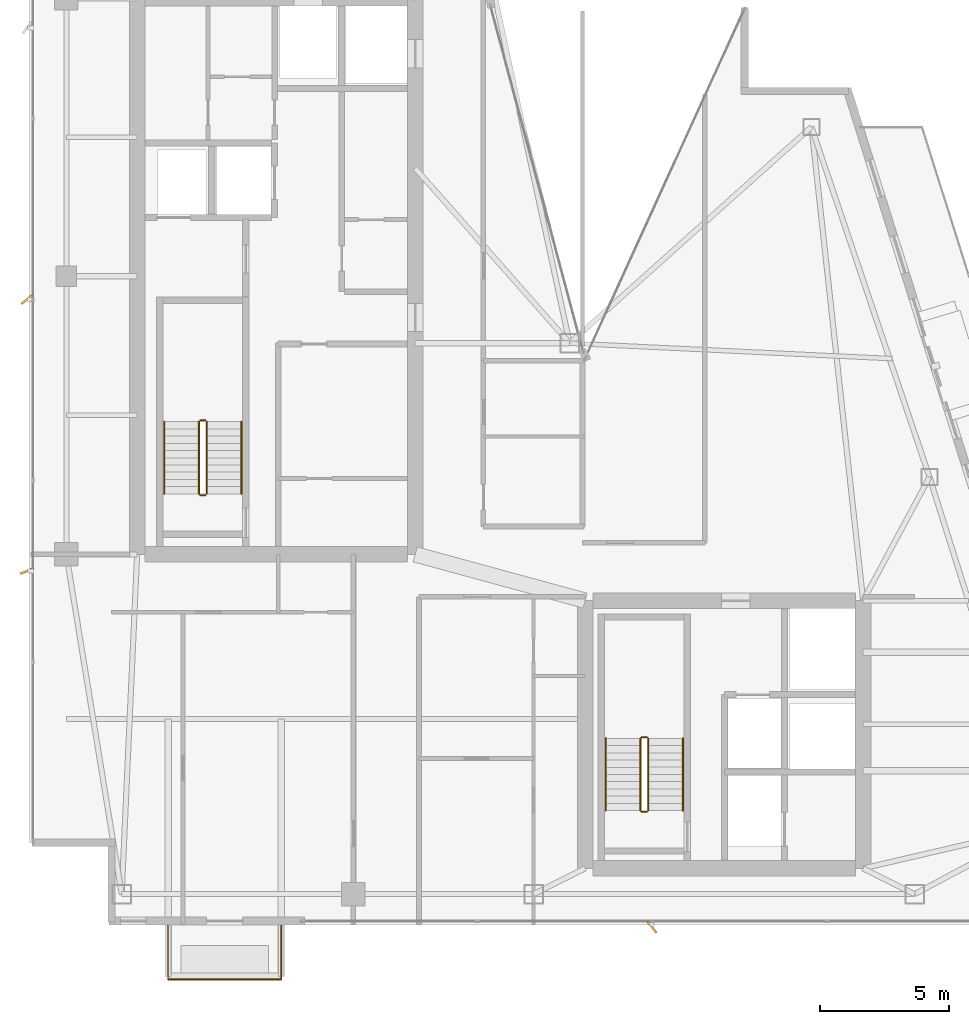
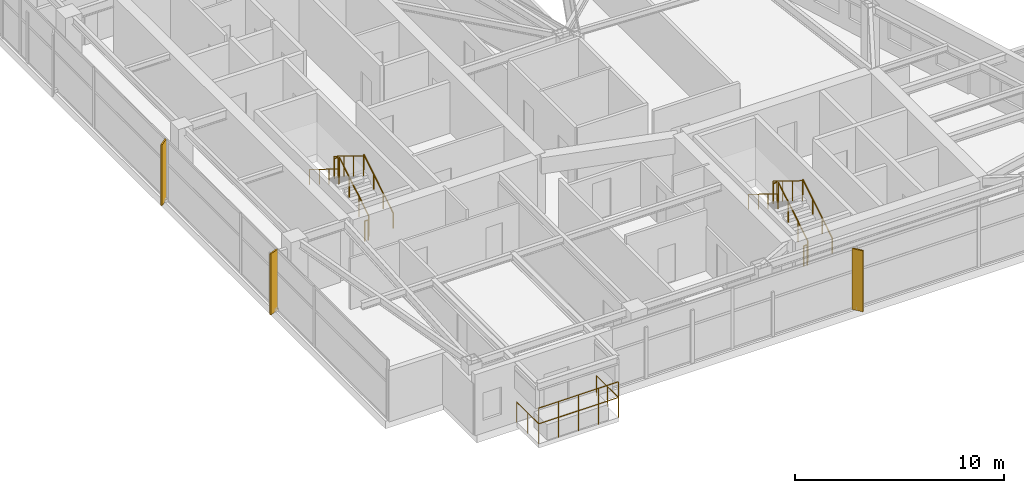
# One storey, part 26 of 27: 14 railings, 3 shading devices.
"""IFC4 building model written with IfcOpenShell, lengths in metres."""

import ifcopenshell
import ifcopenshell.guid

model = None  # the IFC model being written
_history = None  # IfcOwnerHistory: only IFC2X3 demands one
_inside = {}  # id of a spatial element -> (the spatial element, [elements in it])
_under = {}  # id of a project, library or spatial element -> (it, [spatial elements below it])
_declared = {}  # id of a project -> (the project, [libraries it declares])
_typed = {}  # id of a type object -> (the type object, [elements of that type])
_made_of = {}  # id of a material, layer set ... -> (it, [elements and type objects made of it])


def new_model(schema):
    """Start an empty IFC model of exactly this schema.

    Asked for "IFC4X3", IfcOpenShell would pick the latest addendum, in which some entities
    have other attributes; the version numbers below select the first issue.
    IFC2X3 requires an IfcOwnerHistory on every rooted entity: one is made here for all.
    """
    global model, _history
    if schema == "IFC4X3":
        model = ifcopenshell.file(schema_version=(4, 3, 0, 0))
    else:
        model = ifcopenshell.file(schema=schema)
    _inside.clear()
    _under.clear()
    _declared.clear()
    _typed.clear()
    _made_of.clear()
    _history = None
    if model.schema == "IFC2X3":
        org = make("IfcOrganization", Name="unknown")
        user = make(
            "IfcPersonAndOrganization",
            ThePerson=make("IfcPerson", FamilyName="unknown"),
            TheOrganization=org,
        )
        app = make(
            "IfcApplication",
            ApplicationDeveloper=org,
            Version="unknown",
            ApplicationFullName="unknown",
            ApplicationIdentifier="unknown",
        )
        _history = make(
            "IfcOwnerHistory",
            OwningUser=user,
            OwningApplication=app,
            ChangeAction="ADDED",
            CreationDate=0,
        )
    return model


def make(cls, **values):
    """One entity of the class cls with the attributes given. An attribute that is None is left unset."""
    return model.create_entity(
        cls, **{name: value for name, value in values.items() if value is not None}
    )


def rooted(cls, **values):
    """An entity with a GlobalId (a new one), such as an element, a storey or a relation."""
    return make(cls, GlobalId=ifcopenshell.guid.new(), OwnerHistory=_history, **values)


def si_unit(unit_type, name, prefix=None):
    """IfcSIUnit, for example si_unit("LENGTHUNIT", "METRE", prefix="MILLI")."""
    return make("IfcSIUnit", UnitType=unit_type, Prefix=prefix, Name=name)


def assignment(units):
    """IfcUnitAssignment: the units of a project."""
    return None if units is None else make("IfcUnitAssignment", Units=units)


def point(xyz):
    """IfcCartesianPoint."""
    return None if xyz is None else make("IfcCartesianPoint", Coordinates=xyz)


def direction(xyz):
    """IfcDirection."""
    return None if xyz is None else make("IfcDirection", DirectionRatios=xyz)


def frame(location, z_axis=None, x_axis=None):
    """IfcAxis2Placement3D, a coordinate frame: its origin and axes. An axis left out is left unset."""
    return make(
        "IfcAxis2Placement3D",
        Location=point(location),
        Axis=direction(z_axis),
        RefDirection=direction(x_axis),
    )


def frame_2d(location, x_axis=None):
    """IfcAxis2Placement2D, a coordinate frame in the plane: its origin and x axis."""
    return make(
        "IfcAxis2Placement2D", Location=point(location), RefDirection=direction(x_axis)
    )


def origin():
    """The frame at (0, 0, 0) with its axes left unset."""
    return frame((0.0, 0.0, 0.0))


def origin_2d():
    """The frame at (0, 0) in the plane with its x axis left unset."""
    return frame_2d((0.0, 0.0))


def place(relative_to, where):
    """IfcLocalPlacement: puts the frame where relative to a parent placement (None: the world)."""
    return make(
        "IfcLocalPlacement", PlacementRelTo=relative_to, RelativePlacement=where
    )


def context(
    kind, dimensions, precision=None, world=None, true_north=None, identifier=None
):
    """IfcGeometricRepresentationContext, for example the 3D "Model" context."""
    return make(
        "IfcGeometricRepresentationContext",
        ContextIdentifier=identifier,
        ContextType=kind,
        CoordinateSpaceDimension=dimensions,
        Precision=precision,
        WorldCoordinateSystem=world,
        TrueNorth=true_north,
    )


def subcontext(parent, identifier, kind, view, scale=None):
    """IfcGeometricRepresentationSubContext, for example "Body" below "Model"."""
    return make(
        "IfcGeometricRepresentationSubContext",
        ContextIdentifier=identifier,
        ContextType=kind,
        ParentContext=parent,
        TargetScale=scale,
        TargetView=view,
    )


def project(units=None, contexts=None):
    """IfcProject with its units and contexts."""
    return rooted(
        "IfcProject",
        Name="project",
        RepresentationContexts=contexts,
        UnitsInContext=assignment(units),
    )


def spatial(cls, under=None, at=None, **own):
    """A site, building, storey or space (cls), placed at a placement, below another one or the project."""
    s = rooted(cls, ObjectPlacement=at, **own)
    if under is not None:
        _under.setdefault(under.id(), (under, []))[1].append(s)
    return s


def profile(cls, at=None, kind="AREA", **sizes):
    """A parametric profile (cls). Its sizes go by their IFC names, for example OverallWidth=200.0."""
    return make(cls, ProfileType=kind, Position=at, **sizes)


def rectangle(**sizes):
    """IfcRectangleProfileDef."""
    return profile("IfcRectangleProfileDef", **sizes)


def circle(**sizes):
    """IfcCircleProfileDef."""
    return profile("IfcCircleProfileDef", **sizes)


def extrude(swept, where, along, depth):
    """IfcExtrudedAreaSolid: the profile swept, set in the frame where, extruded along a direction by depth."""
    return make(
        "IfcExtrudedAreaSolid",
        SweptArea=swept,
        Position=where,
        ExtrudedDirection=direction(along),
        Depth=depth,
    )


def shape(context_of_items, identifier, shape_type, items):
    """IfcShapeRepresentation: the items that make up one representation, for example the "Body"."""
    return make(
        "IfcShapeRepresentation",
        ContextOfItems=context_of_items,
        RepresentationIdentifier=identifier,
        RepresentationType=shape_type,
        Items=items,
    )


def material(Name=None, Category=None):
    """IfcMaterial."""
    return make("IfcMaterial", Name=Name, Category=Category)


def made_of(thing, what):
    """Note that an element or type object is made of a material, layer set ...; save() writes the relation."""
    if what is not None:
        _made_of.setdefault(what.id(), (what, []))[1].append(thing)
    return thing


def type_object(cls, material=None, **own):
    """A type object (cls), such as IfcWallType, which elements share."""
    return made_of(rooted(cls, **own), material)


def element(
    cls,
    number,
    at=None,
    inside=None,
    cuts=None,
    type_object=None,
    material=None,
    context=None,
    identifier="Body",
    shape_type=None,
    held_by="IfcProductDefinitionShape",
    body=None,
    shapes=None,
    **own,
):
    """One element of the class cls, such as IfcWall. Its Tag is "e" and its number.

    at: its placement. inside: the storey or other place that contains it. cuts: it is an
    opening in that element (IfcRelVoidsElement). A single representation is given by context,
    identifier, shape_type and body (its items); several are given by shapes. held_by: the class
    of the entity that holds the representations. save() writes the other relations.
    """
    e = rooted(cls, Tag="e%d" % number, ObjectPlacement=at, **own)
    if body is not None:
        shapes = [shape(context, identifier, shape_type, body)]
    if shapes is not None:
        e.Representation = make(held_by, Representations=shapes)
    if inside is not None:
        _inside.setdefault(inside.id(), (inside, []))[1].append(e)
    if cuts is not None:
        rooted(
            "IfcRelVoidsElement", RelatingBuildingElement=cuts, RelatedOpeningElement=e
        )
    if type_object is not None:
        _typed.setdefault(type_object.id(), (type_object, []))[1].append(e)
    return made_of(e, material)


def aggregate(whole, parts):
    """IfcRelAggregates: a whole, such as a stair, and the parts it consists of."""
    return rooted("IfcRelAggregates", RelatingObject=whole, RelatedObjects=parts)


def save(model, path):
    """Write the relations noted so far, then the file.

    IfcRelAggregates (storeys below a building ...), IfcRelContainedInSpatialStructure (elements
    in a storey), IfcRelDefinesByType, IfcRelAssociatesMaterial and IfcRelDeclares: one each for
    every whole, place, type object, material and project.
    """
    for whole, parts in _under.values():
        aggregate(whole, parts)
    for where, things in _inside.values():
        rooted(
            "IfcRelContainedInSpatialStructure",
            RelatedElements=things,
            RelatingStructure=where,
        )
    for kind, things in _typed.values():
        rooted("IfcRelDefinesByType", RelatedObjects=things, RelatingType=kind)
    for what, things in _made_of.values():
        rooted("IfcRelAssociatesMaterial", RelatedObjects=things, RelatingMaterial=what)
    for by, libraries in _declared.values():
        rooted("IfcRelDeclares", RelatingContext=by, RelatedDefinitions=libraries)
    model.write(path)


model = new_model("IFC4")

# Units and contexts
model_context = context("Model", 3, precision=1e-05, world=origin(), true_north=direction((0.0, 1.0)))
body_context = subcontext(model_context, "Body", "Model", "MODEL_VIEW")
ifc_project = project(units=[si_unit("LENGTHUNIT", "METRE"), si_unit("AREAUNIT", "SQUARE_METRE"), si_unit("VOLUMEUNIT", "CUBIC_METRE"), si_unit("PLANEANGLEUNIT", "RADIAN"), si_unit("MASSUNIT", "GRAM", prefix="KILO")], contexts=[model_context])

# Site, building, storey
site_placement = place(None, origin())
site = spatial("IfcSite", under=ifc_project, at=site_placement, CompositionType="ELEMENT")
building_placement = place(site_placement, origin())
building = spatial("IfcBuilding", under=site, at=building_placement, Name="Calvorn Quay Hotel", CompositionType="ELEMENT")
storey_placement = place(building_placement, frame((0.0, 0.0, 287.300048828125)))
storey = spatial("IfcBuildingStorey", under=building, at=storey_placement, Name="L71", CompositionType="ELEMENT", Elevation=287.300048828125)

# Railings
ifc_material_1 = material(Name="Pale Anodised Aluminium and Laminated Glass", Category="aluminium")
railing_type_1 = type_object("IfcRailingType", Name="RLG-BALUSTRADE-1200", PredefinedType="BALUSTRADE", material=ifc_material_1)
railing_1_placement = place(storey_placement, frame((5.39990234375, 2.389892578125, 0.0)))
element("IfcRailing", 1, at=railing_1_placement, inside=storey, type_object=railing_type_1, Name="Tree Balcony Perimeter Balustrade L71-BALC-S", PredefinedType="BALUSTRADE", context=body_context, shape_type="SweptSolid", body=[
    extrude(circle(Radius=0.02392578125, at=origin_2d()), frame((0.0, 0.0, 1.17578125), z_axis=(0.0, -1.0, 0.0), x_axis=(1.0, 0.0, 0.0)), (0.0, 0.0, 1.0), 2.099853515625),
    extrude(circle(Radius=0.02392578125, at=origin_2d()), frame((0.0, -2.099853515625, 1.17578125), z_axis=(1.0, 0.0, 0.0), x_axis=(0.0, 1.0, 0.0)), (0.0, 0.0, 1.0), 4.400146484375),
    extrude(circle(Radius=0.02392578125, at=origin_2d()), frame((4.400146484375, -2.099853515625, 1.17578125), z_axis=(0.0, 1.0, 0.0), x_axis=(-1.0, 0.0, 0.0)), (0.0, 0.0, 1.0), 2.099853515625),
    extrude(circle(Radius=0.02099609375, at=origin_2d()), origin(), (0.0, 0.0, 1.0), 1.15185546875),
    extrude(circle(Radius=0.02099609375, at=origin_2d()), frame((0.0, -1.0498046875, 0.0)), (0.0, 0.0, 1.0), 1.15185546875),
    extrude(circle(Radius=0.02099609375, at=origin_2d()), frame((0.0, -2.099853515625, 0.0)), (0.0, 0.0, 1.0), 1.15185546875),
    extrude(circle(Radius=0.02099609375, at=origin_2d()), frame((1.10009765625, -2.099853515625, 0.0)), (0.0, 0.0, 1.0), 1.15185546875),
    extrude(circle(Radius=0.02099609375, at=origin_2d()), frame((2.2001953125, -2.099853515625, 0.0)), (0.0, 0.0, 1.0), 1.15185546875),
    extrude(circle(Radius=0.02099609375, at=origin_2d()), frame((3.300048828125, -2.099853515625, 0.0)), (0.0, 0.0, 1.0), 1.15185546875),
    extrude(circle(Radius=0.02099609375, at=origin_2d()), frame((4.400146484375, -2.099853515625, 0.0)), (0.0, 0.0, 1.0), 1.15185546875),
    extrude(circle(Radius=0.02099609375, at=origin_2d()), frame((4.400146484375, -1.0498046875, 0.0)), (0.0, 0.0, 1.0), 1.15185546875),
    extrude(circle(Radius=0.02099609375, at=origin_2d()), frame((4.400146484375, 0.0, 0.0)), (0.0, 0.0, 1.0), 1.15185546875),
])
railing_2_placement = place(storey_placement, frame((5.39990234375, 0.2900390625, 0.89990234375)))
element("IfcRailing", 2, at=railing_2_placement, inside=storey, type_object=railing_type_1, Name="Planter Kerb High Safety Screen L71-BALC-S", PredefinedType="BALUSTRADE", context=body_context, shape_type="SweptSolid", body=[
    extrude(circle(Radius=0.02392578125, at=origin_2d()), frame((0.0, 0.0, 1.19580078125), z_axis=(1.0, 0.0, 0.0), x_axis=(0.0, 1.0, 0.0)), (0.0, 0.0, 1.0), 4.400146484375),
    extrude(circle(Radius=0.02099609375, at=origin_2d()), origin(), (0.0, 0.0, 1.0), 1.171875),
    extrude(circle(Radius=0.02099609375, at=origin_2d()), frame((1.10009765625, 0.0, 0.0)), (0.0, 0.0, 1.0), 1.171875),
    extrude(circle(Radius=0.02099609375, at=origin_2d()), frame((2.2001953125, 0.0, 0.0)), (0.0, 0.0, 1.0), 1.171875),
    extrude(circle(Radius=0.02099609375, at=origin_2d()), frame((3.300048828125, 0.0, 0.0)), (0.0, 0.0, 1.0), 1.171875),
    extrude(circle(Radius=0.02099609375, at=origin_2d()), frame((4.400146484375, 0.0, 0.0)), (0.0, 0.0, 1.0), 1.171875),
])
ifc_material_2 = material(Name="Brushed Stainless Steel Handrail", Category="steel")
railing_type_2 = type_object("IfcRailingType", Name="RLG-HANDRAIL-900", PredefinedType="HANDRAIL", material=ifc_material_2)
railing_3_placement = place(storey_placement, frame((8.25, 19.14990234375, 0.172607421875)))
element("IfcRailing", 3, at=railing_3_placement, inside=storey, type_object=railing_type_2, Name="L71 ST-W stair handrail 1", PredefinedType="HANDRAIL", context=body_context, shape_type="SweptSolid", body=[
    extrude(circle(Radius=0.02392578125, at=origin_2d()), frame((0.0, 0.0, 0.8759765625), z_axis=(0.0, 0.851089632645, 0.525020415988), x_axis=(-1.0, 0.0, 0.0)), (0.0, 0.0, 1.0), 3.2900390625),
    extrude(circle(Radius=0.02099609375, at=origin_2d()), origin(), (0.0, 0.0, 1.0), 0.851806640625),
    extrude(circle(Radius=0.02099609375, at=origin_2d()), frame((0.0, 0.933349609375, 0.57568359375)), (0.0, 0.0, 1.0), 0.851806640625),
    extrude(circle(Radius=0.02099609375, at=origin_2d()), frame((0.0, 1.86669921875, 1.151611328125)), (0.0, 0.0, 1.0), 0.851806640625),
    extrude(circle(Radius=0.02099609375, at=origin_2d()), frame((0.0, 2.800048828125, 1.727294921875)), (0.0, 0.0, 1.0), 0.851806640625),
])
railing_4_placement = place(storey_placement, frame((5.25, 21.949951171875, 2.07275390625)))
element("IfcRailing", 4, at=railing_4_placement, inside=storey, type_object=railing_type_2, Name="L71 ST-W stair handrail 2", PredefinedType="HANDRAIL", context=body_context, shape_type="SweptSolid", body=[
    extrude(circle(Radius=0.02392578125, at=origin_2d()), frame((0.0, 0.0, 0.8759765625), z_axis=(0.0, -0.851089632645, 0.525020415988), x_axis=(1.0, 0.0, 0.0)), (0.0, 0.0, 1.0), 3.2900390625),
    extrude(circle(Radius=0.02099609375, at=origin_2d()), origin(), (0.0, 0.0, 1.0), 0.851806640625),
    extrude(circle(Radius=0.02099609375, at=origin_2d()), frame((0.0, -0.933349609375, 0.57568359375)), (0.0, 0.0, 1.0), 0.851806640625),
    extrude(circle(Radius=0.02099609375, at=origin_2d()), frame((0.0, -1.86669921875, 1.151611328125)), (0.0, 0.0, 1.0), 0.851806640625),
    extrude(circle(Radius=0.02099609375, at=origin_2d()), frame((0.0, -2.800048828125, 1.727294921875)), (0.0, 0.0, 1.0), 0.851806640625),
])
railing_5_placement = place(storey_placement, frame((25.39990234375, 6.85009765625, 0.172607421875)))
element("IfcRailing", 5, at=railing_5_placement, inside=storey, type_object=railing_type_2, Name="L71 ST-E stair handrail 1", PredefinedType="HANDRAIL", context=body_context, shape_type="SweptSolid", body=[
    extrude(circle(Radius=0.02392578125, at=origin_2d()), frame((0.0, 0.0, 0.8759765625), z_axis=(0.0, 0.851069175582, 0.525053576669), x_axis=(-1.0, 0.0, 0.0)), (0.0, 0.0, 1.0), 3.289794921875),
    extrude(circle(Radius=0.02099609375, at=origin_2d()), origin(), (0.0, 0.0, 1.0), 0.851806640625),
    extrude(circle(Radius=0.02099609375, at=origin_2d()), frame((0.0, 0.933349609375, 0.57568359375)), (0.0, 0.0, 1.0), 0.851806640625),
    extrude(circle(Radius=0.02099609375, at=origin_2d()), frame((0.0, 1.866455078125, 1.151611328125)), (0.0, 0.0, 1.0), 0.851806640625),
    extrude(circle(Radius=0.02099609375, at=origin_2d()), frame((0.0, 2.7998046875, 1.727294921875)), (0.0, 0.0, 1.0), 0.851806640625),
])
railing_6_placement = place(storey_placement, frame((22.39990234375, 9.64990234375, 2.07275390625)))
element("IfcRailing", 6, at=railing_6_placement, inside=storey, type_object=railing_type_2, Name="L71 ST-E stair handrail 2", PredefinedType="HANDRAIL", context=body_context, shape_type="SweptSolid", body=[
    extrude(circle(Radius=0.02392578125, at=origin_2d()), frame((0.0, 0.0, 0.8759765625), z_axis=(0.0, -0.851069175582, 0.525053576669), x_axis=(1.0, 0.0, 0.0)), (0.0, 0.0, 1.0), 3.289794921875),
    extrude(circle(Radius=0.02099609375, at=origin_2d()), origin(), (0.0, 0.0, 1.0), 0.851806640625),
    extrude(circle(Radius=0.02099609375, at=origin_2d()), frame((0.0, -0.933349609375, 0.57568359375)), (0.0, 0.0, 1.0), 0.851806640625),
    extrude(circle(Radius=0.02099609375, at=origin_2d()), frame((0.0, -1.866455078125, 1.151611328125)), (0.0, 0.0, 1.0), 0.851806640625),
    extrude(circle(Radius=0.02099609375, at=origin_2d()), frame((0.0, -2.7998046875, 1.727294921875)), (0.0, 0.0, 1.0), 0.851806640625),
])
ifc_material_3 = material(Name="Painted Galvanised Steel Balustrade", Category="steel")
railing_type_3 = type_object("IfcRailingType", Name="RLG-STAIR-GUARD-1120", PredefinedType="GUARDRAIL", material=ifc_material_3)
railing_7_placement = place(storey_placement, frame((6.89990234375, 19.14990234375, 0.172607421875)))
element("IfcRailing", 7, at=railing_7_placement, inside=storey, type_object=railing_type_3, Name="L71 ST-W stair guard 1", PredefinedType="GUARDRAIL", context=body_context, shape_type="SweptSolid", body=[
    extrude(circle(Radius=0.02392578125, at=origin_2d()), frame((0.0, 0.0, 1.17578125), z_axis=(0.0, 0.851089632645, 0.525020415988), x_axis=(-1.0, 0.0, 0.0)), (0.0, 0.0, 1.0), 3.2900390625),
    extrude(circle(Radius=0.02099609375, at=origin_2d()), origin(), (0.0, 0.0, 1.0), 1.15185546875),
    extrude(circle(Radius=0.02099609375, at=origin_2d()), frame((0.0, 0.933349609375, 0.57568359375)), (0.0, 0.0, 1.0), 1.15185546875),
    extrude(circle(Radius=0.02099609375, at=origin_2d()), frame((0.0, 1.86669921875, 1.151611328125)), (0.0, 0.0, 1.0), 1.15185546875),
    extrude(circle(Radius=0.02099609375, at=origin_2d()), frame((0.0, 2.800048828125, 1.727294921875)), (0.0, 0.0, 1.0), 1.15185546875),
])
railing_8_placement = place(storey_placement, frame((6.85009765625, 22.0, 1.89990234375)))
element("IfcRailing", 8, at=railing_8_placement, inside=storey, type_object=railing_type_3, Name="L71 ST-W stair guard 2", PredefinedType="GUARDRAIL", context=body_context, shape_type="SweptSolid", body=[
    extrude(circle(Radius=0.02392578125, at=origin_2d()), frame((0.0, 0.0, 1.17578125), z_axis=(-1.0, 0.0, 0.0), x_axis=(0.0, -1.0, 0.0)), (0.0, 0.0, 1.0), 0.2001953125),
    extrude(circle(Radius=0.02099609375, at=origin_2d()), origin(), (0.0, 0.0, 1.0), 1.15185546875),
    extrude(circle(Radius=0.02099609375, at=origin_2d()), frame((-0.2001953125, 0.0, 0.0)), (0.0, 0.0, 1.0), 1.15185546875),
])
railing_9_placement = place(storey_placement, frame((6.60009765625, 21.949951171875, 2.07275390625)))
element("IfcRailing", 9, at=railing_9_placement, inside=storey, type_object=railing_type_3, Name="L71 ST-W stair guard 3", PredefinedType="GUARDRAIL", context=body_context, shape_type="SweptSolid", body=[
    extrude(circle(Radius=0.02392578125, at=origin_2d()), frame((0.0, 0.0, 1.17578125), z_axis=(0.0, -0.851089632645, 0.525020415988), x_axis=(1.0, 0.0, 0.0)), (0.0, 0.0, 1.0), 3.2900390625),
    extrude(circle(Radius=0.02099609375, at=origin_2d()), origin(), (0.0, 0.0, 1.0), 1.15185546875),
    extrude(circle(Radius=0.02099609375, at=origin_2d()), frame((0.0, -0.933349609375, 0.57568359375)), (0.0, 0.0, 1.0), 1.15185546875),
    extrude(circle(Radius=0.02099609375, at=origin_2d()), frame((0.0, -1.86669921875, 1.151611328125)), (0.0, 0.0, 1.0), 1.15185546875),
    extrude(circle(Radius=0.02099609375, at=origin_2d()), frame((0.0, -2.800048828125, 1.727294921875)), (0.0, 0.0, 1.0), 1.15185546875),
])
railing_10_placement = place(storey_placement, frame((6.85009765625, 19.10009765625, 0.0)))
element("IfcRailing", 10, at=railing_10_placement, inside=storey, type_object=railing_type_3, Name="L71 ST-W stair guard 4", PredefinedType="GUARDRAIL", context=body_context, shape_type="SweptSolid", body=[
    extrude(circle(Radius=0.02392578125, at=origin_2d()), frame((0.0, 0.0, 1.17578125), z_axis=(-1.0, 0.0, 0.0), x_axis=(0.0, -1.0, 0.0)), (0.0, 0.0, 1.0), 0.2001953125),
    extrude(circle(Radius=0.02099609375, at=origin_2d()), origin(), (0.0, 0.0, 1.0), 1.15185546875),
    extrude(circle(Radius=0.02099609375, at=origin_2d()), frame((-0.2001953125, 0.0, 0.0)), (0.0, 0.0, 1.0), 1.15185546875),
])
railing_11_placement = place(storey_placement, frame((24.050048828125, 6.85009765625, 0.172607421875)))
element("IfcRailing", 11, at=railing_11_placement, inside=storey, type_object=railing_type_3, Name="L71 ST-E stair guard 1", PredefinedType="GUARDRAIL", context=body_context, shape_type="SweptSolid", body=[
    extrude(circle(Radius=0.02392578125, at=origin_2d()), frame((0.0, 0.0, 1.17578125), z_axis=(0.0, 0.851069175582, 0.525053576669), x_axis=(-1.0, 0.0, 0.0)), (0.0, 0.0, 1.0), 3.289794921875),
    extrude(circle(Radius=0.02099609375, at=origin_2d()), origin(), (0.0, 0.0, 1.0), 1.15185546875),
    extrude(circle(Radius=0.02099609375, at=origin_2d()), frame((0.0, 0.933349609375, 0.57568359375)), (0.0, 0.0, 1.0), 1.15185546875),
    extrude(circle(Radius=0.02099609375, at=origin_2d()), frame((0.0, 1.866455078125, 1.151611328125)), (0.0, 0.0, 1.0), 1.15185546875),
    extrude(circle(Radius=0.02099609375, at=origin_2d()), frame((0.0, 2.7998046875, 1.727294921875)), (0.0, 0.0, 1.0), 1.15185546875),
])
railing_12_placement = place(storey_placement, frame((24.0, 9.699951171875, 1.89990234375)))
element("IfcRailing", 12, at=railing_12_placement, inside=storey, type_object=railing_type_3, Name="L71 ST-E stair guard 2", PredefinedType="GUARDRAIL", context=body_context, shape_type="SweptSolid", body=[
    extrude(circle(Radius=0.02392578125, at=origin_2d()), frame((0.0, 0.0, 1.17578125), z_axis=(-1.0, 0.0, 0.0), x_axis=(0.0, -1.0, 0.0)), (0.0, 0.0, 1.0), 0.199951171875),
    extrude(circle(Radius=0.02099609375, at=origin_2d()), origin(), (0.0, 0.0, 1.0), 1.15185546875),
    extrude(circle(Radius=0.02099609375, at=origin_2d()), frame((-0.199951171875, 0.0, 0.0)), (0.0, 0.0, 1.0), 1.15185546875),
])
railing_13_placement = place(storey_placement, frame((23.75, 9.64990234375, 2.07275390625)))
element("IfcRailing", 13, at=railing_13_placement, inside=storey, type_object=railing_type_3, Name="L71 ST-E stair guard 3", PredefinedType="GUARDRAIL", context=body_context, shape_type="SweptSolid", body=[
    extrude(circle(Radius=0.02392578125, at=origin_2d()), frame((0.0, 0.0, 1.17578125), z_axis=(0.0, -0.851069175582, 0.525053576669), x_axis=(1.0, 0.0, 0.0)), (0.0, 0.0, 1.0), 3.289794921875),
    extrude(circle(Radius=0.02099609375, at=origin_2d()), origin(), (0.0, 0.0, 1.0), 1.15185546875),
    extrude(circle(Radius=0.02099609375, at=origin_2d()), frame((0.0, -0.933349609375, 0.57568359375)), (0.0, 0.0, 1.0), 1.15185546875),
    extrude(circle(Radius=0.02099609375, at=origin_2d()), frame((0.0, -1.866455078125, 1.151611328125)), (0.0, 0.0, 1.0), 1.15185546875),
    extrude(circle(Radius=0.02099609375, at=origin_2d()), frame((0.0, -2.7998046875, 1.727294921875)), (0.0, 0.0, 1.0), 1.15185546875),
])
railing_14_placement = place(storey_placement, frame((24.0, 6.800048828125, 0.0)))
element("IfcRailing", 14, at=railing_14_placement, inside=storey, type_object=railing_type_3, Name="L71 ST-E stair guard 4", PredefinedType="GUARDRAIL", context=body_context, shape_type="SweptSolid", body=[
    extrude(circle(Radius=0.02392578125, at=origin_2d()), frame((0.0, 0.0, 1.17578125), z_axis=(-1.0, 0.0, 0.0), x_axis=(0.0, -1.0, 0.0)), (0.0, 0.0, 1.0), 0.199951171875),
    extrude(circle(Radius=0.02099609375, at=origin_2d()), origin(), (0.0, 0.0, 1.0), 1.15185546875),
    extrude(circle(Radius=0.02099609375, at=origin_2d()), frame((-0.199951171875, 0.0, 0.0)), (0.0, 0.0, 1.0), 1.15185546875),
])

# Shading devices
ifc_material_4 = material(Name="Champagne Bronze Anodised Aluminium 6063-T6", Category="aluminium")
shading_device_type_1 = type_object("IfcShadingDeviceType", Name="SHD-FIN-A1", PredefinedType="USERDEFINED", material=ifc_material_4)
shading_device_placement = place(storey_placement, frame((-0.080078125, 16.14990234375, 0.0), z_axis=(0.0, 0.0, 1.0), x_axis=(0.927183854567, 0.374606593416, 0.0)))
element("IfcShadingDevice", 15, at=shading_device_placement, inside=storey, type_object=shading_device_type_1, Name="Diagonal Sun-Shading Fin L71-W01", ObjectType="FIN", PredefinedType="USERDEFINED", context=body_context, shape_type="SweptSolid", body=[
    extrude(rectangle(XDim=0.550048828125, YDim=0.080078125, at=origin_2d()), origin(), (0.0, 0.0, 1.0), 3.56005859375),
])
ifc_material_5 = material(Name="Champagne Bronze Anodised Aluminium 6063-T6", Category="aluminium")
shading_device_type_2 = type_object("IfcShadingDeviceType", Name="SHD-FIN-A2", PredefinedType="USERDEFINED", material=ifc_material_5)
for number, where, z_axis, x_axis, name in (
    (16, (-0.080078125, 26.699951171875, 0.0), (0.0, 0.0, 1.0), (0.788010753607, 0.615661475326, 0.0), "Diagonal Sun-Shading Fin L71-W02"),
    (17, (24.199951171875, 2.320068359375, 0.0), (0.0, 0.0, 1.0), (-0.615661475326, 0.788010753607, 0.0), "Diagonal Sun-Shading Fin L71-S01"),
):
    element("IfcShadingDevice", number, at=place(storey_placement, frame(where, z_axis=z_axis, x_axis=x_axis)), inside=storey, type_object=shading_device_type_2, Name=name, ObjectType="FIN", PredefinedType="USERDEFINED", context=body_context, shape_type="SweptSolid", body=[
        extrude(rectangle(XDim=0.550048828125, YDim=0.080078125, at=origin_2d()), origin(), (0.0, 0.0, 1.0), 3.56005859375),
    ])

save(model, "model.ifc")
